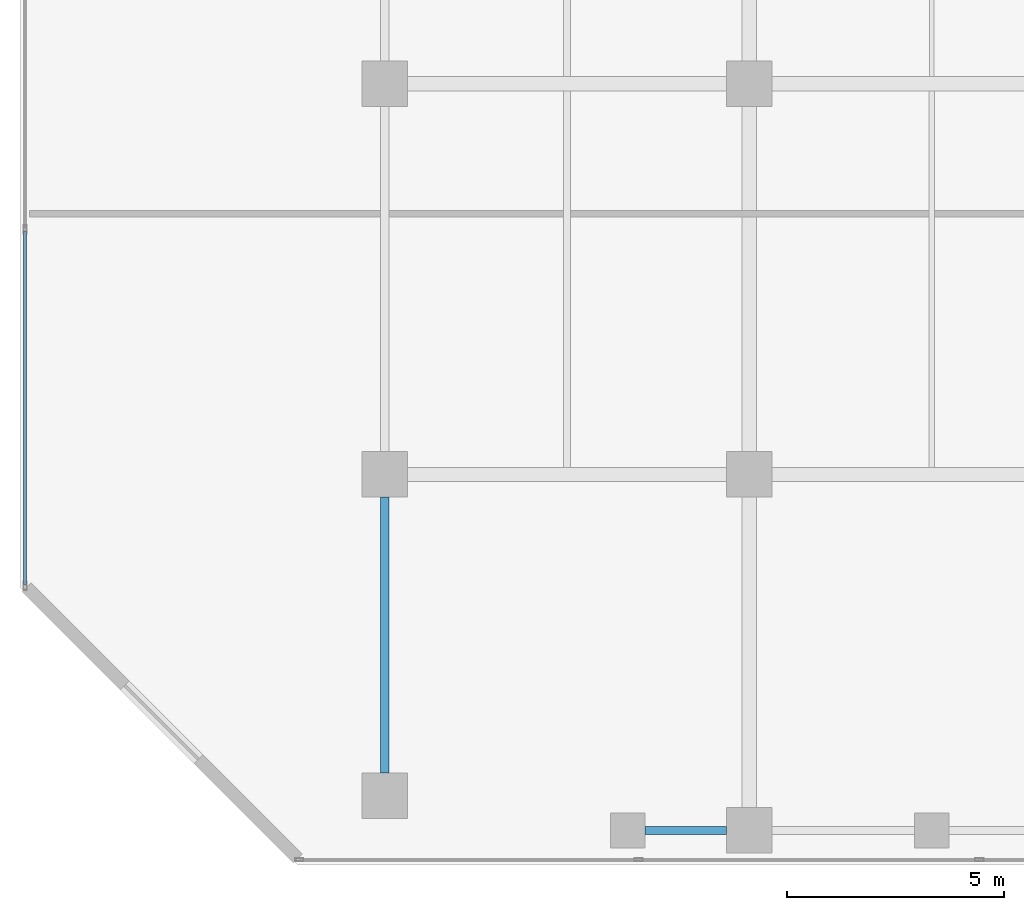
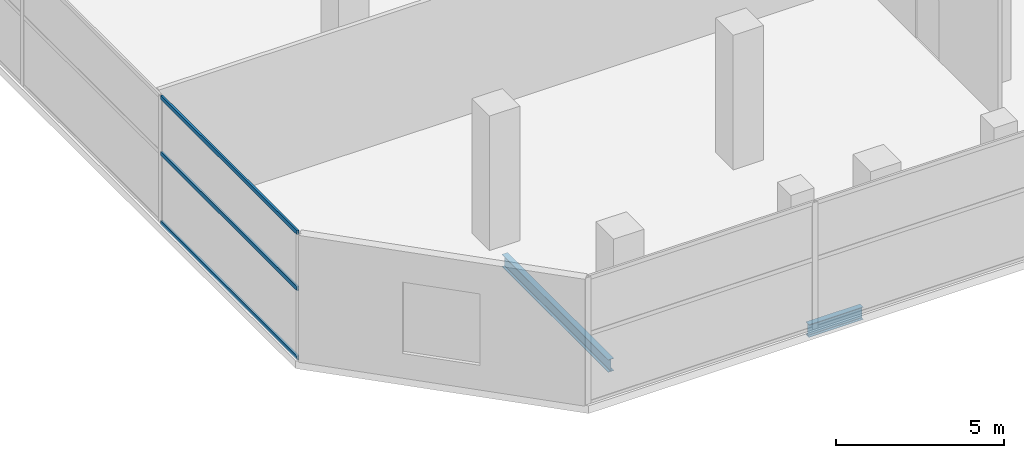
# One storey, part 3 of 39: 3 members, 2 beams, 1 element without a shape of its own.
"""IFC4 building model written with IfcOpenShell, lengths in metres."""

from ifc_helpers import new_model, si_unit, direction, frame, origin, origin_2d, place, context, subcontext, project, spatial, hollow_rectangle, i_section, extrude, material, layer, layer_set, material_profile, profile_set, type_object, element, aggregate, save


model = new_model("IFC4")

# Units and contexts
model_context = context("Model", 3, precision=1e-05, world=origin(), true_north=direction((0.0, 1.0)))
body_context = subcontext(model_context, "Body", "Model", "MODEL_VIEW")
ifc_project = project(units=[si_unit("LENGTHUNIT", "METRE"), si_unit("AREAUNIT", "SQUARE_METRE"), si_unit("VOLUMEUNIT", "CUBIC_METRE"), si_unit("PLANEANGLEUNIT", "RADIAN"), si_unit("MASSUNIT", "GRAM", prefix="KILO")], contexts=[model_context])

# Site, building, storey
site_placement = place(None, origin())
site = spatial("IfcSite", under=ifc_project, at=site_placement, CompositionType="ELEMENT")
building_placement = place(site_placement, origin())
building = spatial("IfcBuilding", under=site, at=building_placement, Name="Maruvema Waterfront Hotel and Observation Tower", CompositionType="ELEMENT")
storey_placement = place(building_placement, frame((0.0, 0.0, 16.449951171875)))
storey = spatial("IfcBuildingStorey", under=building, at=storey_placement, Name="L03", CompositionType="ELEMENT", Elevation=16.449951171875)

# Curtain wall, members
ifc_material_1 = material(Name="Anodised bronze aluminium and solar-control low-E IGU", Category="aluminium")
ifc_layer = layer(ifc_material_1, 0.159912109375, Name="Podium Waterfront Storefront Curtain Wall System CW-01")
ifc_layer_set = layer_set([ifc_layer], Name="Anodised bronze aluminium and solar-control low-E IGU")
curtain_wall_type = type_object("IfcCurtainWallType", Name="Podium Waterfront Storefront Curtain Wall System CW-01", PredefinedType="USERDEFINED", material=ifc_layer_set)
curtain_wall_placement = place(storey_placement, origin())
curtain_wall = element("IfcCurtainWall", 1, at=curtain_wall_placement, inside=storey, type_object=curtain_wall_type, Name="L03 Curtain Wall CW-L03-W", ObjectType="UNITISED CURTAIN WALL", PredefinedType="USERDEFINED")
ifc_material_2 = material(Name="Anodised architectural bronze aluminium", Category="aluminium")
ifc_material_profile_1 = material_profile(ifc_material_2, hollow_rectangle(XDim=0.070068359375, YDim=0.14990234375, WallThickness=0.00390625, at=origin_2d()), Name="ALU-T70x150")
ifc_profile_set_1 = profile_set([ifc_material_profile_1], Name="Anodised architectural bronze aluminium")
member_type = type_object("IfcMemberType", Name="Curtain Wall Horizontal Transom ALU-T70x150", PredefinedType="USERDEFINED", material=ifc_profile_set_1)
member_1_placement = place(storey_placement, frame((0.1201171875, 14.610107421875, 0.030029296875), z_axis=(0.0, -1.0, 0.0), x_axis=(1.0, 0.0, 0.0)))
member_1 = element("IfcMember", 2, at=member_1_placement, type_object=member_type, Name="CW-01 transom 5.1", ObjectType="TRANSOM", PredefinedType="USERDEFINED", context=body_context, shape_type="SweptSolid", body=[
    extrude(hollow_rectangle(XDim=0.070068359375, YDim=0.14990234375, WallThickness=0.00390625, at=origin_2d()), origin(), (0.0, 0.0, 1.0), 8.150146484375),
])
member_2_placement = place(storey_placement, frame((0.1201171875, 14.610107421875, 2.550048828125), z_axis=(0.0, -1.0, 0.0), x_axis=(1.0, 0.0, 0.0)))
member_2 = element("IfcMember", 3, at=member_2_placement, type_object=member_type, Name="CW-01 transom 5.2", ObjectType="TRANSOM", PredefinedType="USERDEFINED", context=body_context, shape_type="SweptSolid", body=[
    extrude(hollow_rectangle(XDim=0.070068359375, YDim=0.14990234375, WallThickness=0.00390625, at=origin_2d()), origin(), (0.0, 0.0, 1.0), 8.150146484375),
])
member_3_placement = place(storey_placement, frame((0.1201171875, 14.610107421875, 4.590087890625), z_axis=(0.0, -1.0, 0.0), x_axis=(1.0, 0.0, 0.0)))
member_3 = element("IfcMember", 4, at=member_3_placement, type_object=member_type, Name="CW-01 transom 5.3", ObjectType="TRANSOM", PredefinedType="USERDEFINED", context=body_context, shape_type="SweptSolid", body=[
    extrude(hollow_rectangle(XDim=0.070068359375, YDim=0.14990234375, WallThickness=0.00390625, at=origin_2d()), origin(), (0.0, 0.0, 1.0), 8.150146484375),
])
aggregate(curtain_wall, [member_1, member_2, member_3])

# Beams
ifc_material_3 = material(Name="Steel ASTM A572 Grade 50", Category="steel")
ifc_material_profile_2 = material_profile(ifc_material_3, i_section(OverallWidth=0.18994140625, OverallDepth=0.45703125, WebThickness=0.009033203125, FlangeThickness=0.014404296875, FilletRadius=0.014892578125, at=origin_2d()), Name="W460x74.0")
ifc_profile_set_2 = profile_set([ifc_material_profile_2], Name="Steel ASTM A572 Grade 50")
beam_type = type_object("IfcBeamType", Name="Perimeter Spandrel Beam W460x74.0", PredefinedType="SPANDREL", material=ifc_profile_set_2)
beam_1_placement = place(storey_placement, frame((14.39990234375, 0.800048828125, -0.508544921875), z_axis=(1.0, 0.0, 0.0), x_axis=(0.0, 1.0, 0.0)))
element("IfcBeam", 5, at=beam_1_placement, inside=storey, type_object=beam_type, Name="L03 Floor Girder EW-01", PredefinedType="SPANDREL", context=body_context, shape_type="SweptSolid", body=[
    extrude(i_section(OverallWidth=0.18994140625, OverallDepth=0.45703125, WebThickness=0.009033203125, FlangeThickness=0.014404296875, FilletRadius=0.014892578125, at=origin_2d()), origin(), (0.0, 0.0, 1.0), 1.875),
])
beam_2_placement = place(storey_placement, frame((8.39990234375, 2.125, -0.508544921875), z_axis=(0.0, 1.0, 0.0), x_axis=(-1.0, 0.0, 0.0)))
element("IfcBeam", 6, at=beam_2_placement, inside=storey, type_object=beam_type, Name="L03 Floor Girder NS-01", PredefinedType="SPANDREL", context=body_context, shape_type="SweptSolid", body=[
    extrude(i_section(OverallWidth=0.18994140625, OverallDepth=0.45703125, WebThickness=0.009033203125, FlangeThickness=0.014404296875, FilletRadius=0.014892578125, at=origin_2d()), origin(), (0.0, 0.0, 1.0), 6.35009765625),
])

save(model, "model.ifc")
